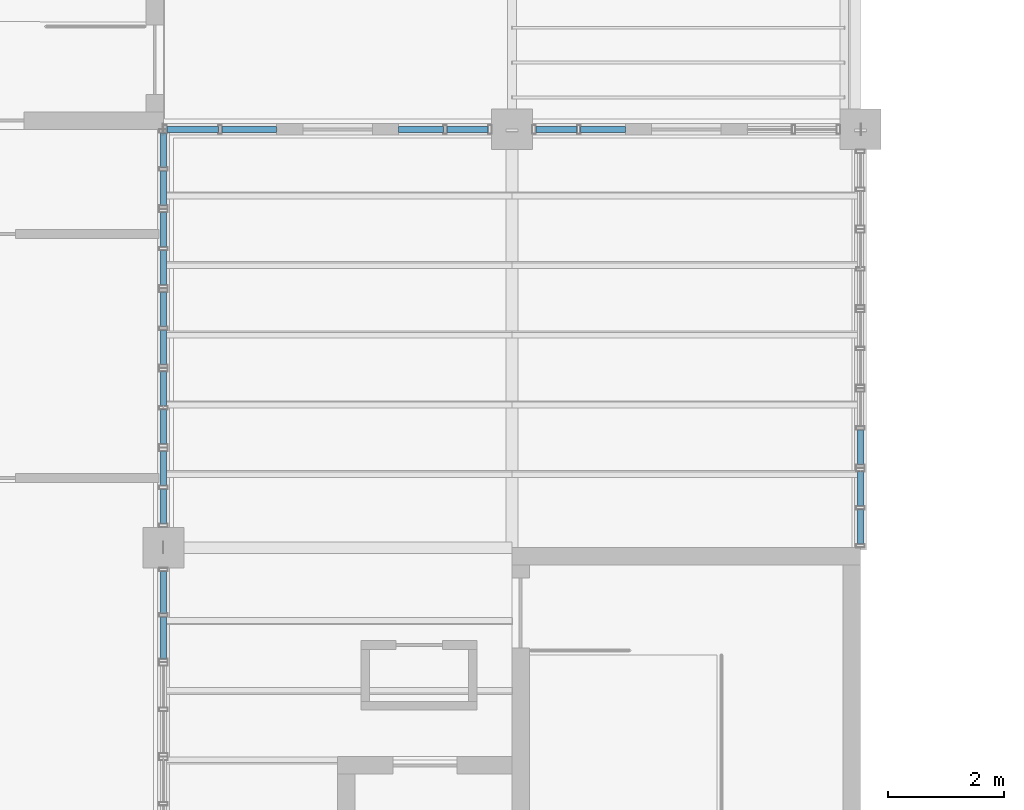
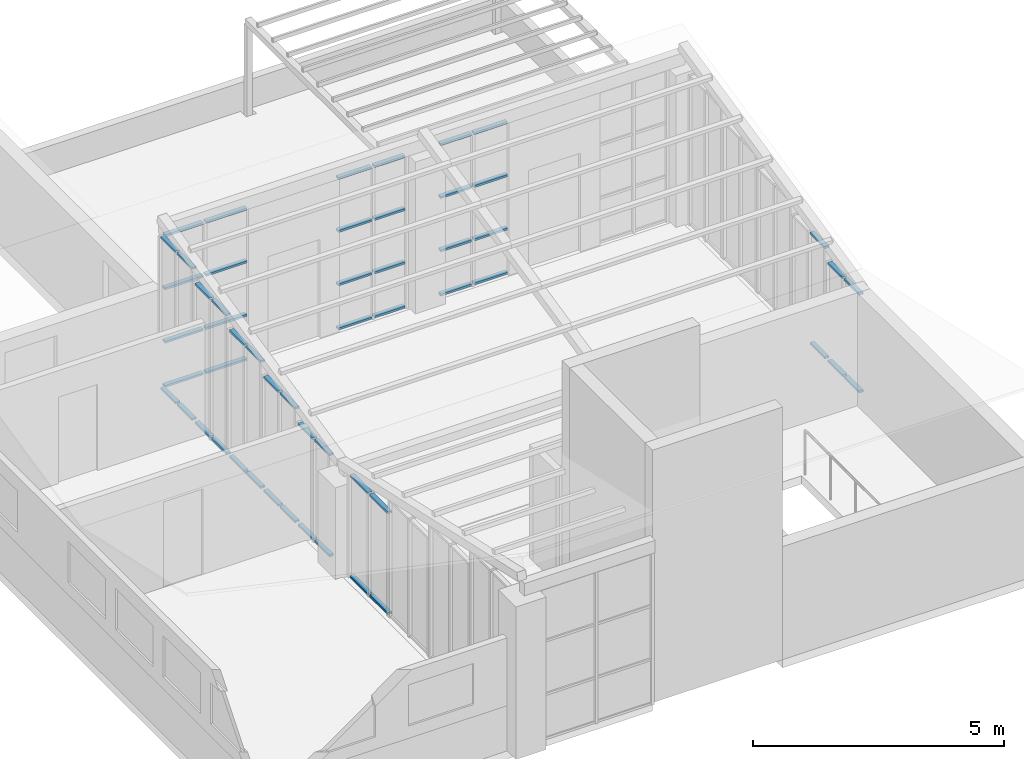
# One storey, part 29 of 51: 54 members, 11 elements without a shape of their own.
"""IFC4 building model written with IfcOpenShell, lengths in metres."""

from ifc_helpers import new_model, si_unit, direction, frame, origin, origin_2d, place, context, subcontext, project, spatial, hollow_rectangle, extrude, material, material_profile, profile_set, type_object, element, aggregate, save


model = new_model("IFC4")

# Units and contexts
model_context = context("Model", 3, precision=1e-05, world=origin(), true_north=direction((0.0, 1.0)))
body_context = subcontext(model_context, "Body", "Model", "MODEL_VIEW")
ifc_project = project(units=[si_unit("LENGTHUNIT", "METRE"), si_unit("AREAUNIT", "SQUARE_METRE"), si_unit("VOLUMEUNIT", "CUBIC_METRE"), si_unit("PLANEANGLEUNIT", "RADIAN"), si_unit("MASSUNIT", "GRAM", prefix="KILO")], contexts=[model_context])

# Site, building, storey
site_placement = place(None, origin())
site = spatial("IfcSite", under=ifc_project, at=site_placement, CompositionType="ELEMENT")
building_placement = place(site_placement, origin())
building = spatial("IfcBuilding", under=site, at=building_placement, Name="Laocheng Heights Fire and Rescue Headquarters", CompositionType="ELEMENT")
storey_placement = place(building_placement, frame((0.0, 0.0, 21.0)))
storey = spatial("IfcBuildingStorey", under=building, at=storey_placement, Name="L05", CompositionType="ELEMENT", Elevation=21.0)

# Curtain wall, members
ifc_material_1 = material(Name="Dark anodised aluminium unitised curtain wall, low-e double glazing", Category="aluminium")
curtain_wall_type_1 = type_object("IfcCurtainWallType", Name="CW 1625 x 2507 CREW LOUNGE END UNIT", PredefinedType="NOTDEFINED", material=ifc_material_1)
curtain_wall_1_placement = place(storey_placement, origin())
curtain_wall_1 = element("IfcCurtainWall", 1, at=curtain_wall_1_placement, inside=storey, type_object=curtain_wall_type_1, Name="X15-W CREW LOUNGE WEST 36 4", PredefinedType="NOTDEFINED")
ifc_material_2 = material(Name="Dark anodised aluminium 6063-T5 extrusion", Category="aluminium")
ifc_material_profile_1 = material_profile(ifc_material_2, hollow_rectangle(XDim=0.10009765625, YDim=0.050048828125, WallThickness=0.0029296875, at=origin_2d()), Name="AL TRANSOM 100x50x3 CREW LOUNGE END UNIT")
ifc_profile_set_1 = profile_set([ifc_material_profile_1], Name="Dark anodised aluminium 6063-T5 extrusion")
member_type_1 = type_object("IfcMemberType", Name="AL TRANSOM 100x50x3 CREW LOUNGE END UNIT", PredefinedType="USERDEFINED", material=ifc_profile_set_1)
member_1_placement = place(storey_placement, frame((96.0, 41.284912109375, 0.02490234375), z_axis=(0.0, 1.0, 0.0), x_axis=(-1.0, 0.0, 0.0)))
member_1 = element("IfcMember", 2, at=member_1_placement, type_object=member_type_1, Name="X15-W transom 1.1", ObjectType="TRANSOM", PredefinedType="USERDEFINED", context=body_context, shape_type="SweptSolid", body=[
    extrude(hollow_rectangle(XDim=0.10009765625, YDim=0.050048828125, WallThickness=0.0029296875, at=origin_2d()), origin(), (0.0, 0.0, 1.0), 0.72265625),
])
member_2_placement = place(storey_placement, frame((96.0, 41.284912109375, 2.481689453125), z_axis=(0.0, 1.0, 0.0), x_axis=(-1.0, 0.0, 0.0)))
member_2 = element("IfcMember", 3, at=member_2_placement, type_object=member_type_1, Name="X15-W transom 1.2", ObjectType="TRANSOM", PredefinedType="USERDEFINED", context=body_context, shape_type="SweptSolid", body=[
    extrude(hollow_rectangle(XDim=0.10009765625, YDim=0.050048828125, WallThickness=0.0029296875, at=origin_2d()), origin(), (0.0, 0.0, 1.0), 0.72265625),
])
member_3_placement = place(storey_placement, frame((96.0, 42.0673828125, 0.02490234375), z_axis=(0.0, 1.0, 0.0), x_axis=(-1.0, 0.0, 0.0)))
member_3 = element("IfcMember", 4, at=member_3_placement, type_object=member_type_1, Name="X15-W transom 2.1", ObjectType="TRANSOM", PredefinedType="USERDEFINED", context=body_context, shape_type="SweptSolid", body=[
    extrude(hollow_rectangle(XDim=0.10009765625, YDim=0.050048828125, WallThickness=0.0029296875, at=origin_2d()), origin(), (0.0, 0.0, 1.0), 0.72265625),
])
member_4_placement = place(storey_placement, frame((96.0, 42.0673828125, 2.481689453125), z_axis=(0.0, 1.0, 0.0), x_axis=(-1.0, 0.0, 0.0)))
member_4 = element("IfcMember", 5, at=member_4_placement, type_object=member_type_1, Name="X15-W transom 2.2", ObjectType="TRANSOM", PredefinedType="USERDEFINED", context=body_context, shape_type="SweptSolid", body=[
    extrude(hollow_rectangle(XDim=0.10009765625, YDim=0.050048828125, WallThickness=0.0029296875, at=origin_2d()), origin(), (0.0, 0.0, 1.0), 0.72265625),
])
aggregate(curtain_wall_1, [member_1, member_2, member_3, member_4])

ifc_material_3 = material(Name="Dark anodised aluminium unitised curtain wall, low-e double glazing", Category="aluminium")
curtain_wall_type_2 = type_object("IfcCurtainWallType", Name="CW 1370 x 2507 CREW LOUNGE END UNIT", PredefinedType="NOTDEFINED", material=ifc_material_3)
curtain_wall_2_placement = place(storey_placement, origin())
curtain_wall_2 = element("IfcCurtainWall", 6, at=curtain_wall_2_placement, inside=storey, type_object=curtain_wall_type_2, Name="X16-W CREW LOUNGE WEST 43 1", PredefinedType="NOTDEFINED")
member_5_placement = place(storey_placement, frame((96.0, 43.610107421875, 0.02490234375), z_axis=(0.0, 1.0, 0.0), x_axis=(-1.0, 0.0, 0.0)))
member_5 = element("IfcMember", 7, at=member_5_placement, type_object=member_type_1, Name="X16-W transom 1.1", ObjectType="TRANSOM", PredefinedType="USERDEFINED", context=body_context, shape_type="SweptSolid", body=[
    extrude(hollow_rectangle(XDim=0.10009765625, YDim=0.050048828125, WallThickness=0.0029296875, at=origin_2d()), origin(), (0.0, 0.0, 1.0), 0.594970703125),
])
member_6_placement = place(storey_placement, frame((96.0, 43.610107421875, 2.481689453125), z_axis=(0.0, 1.0, 0.0), x_axis=(-1.0, 0.0, 0.0)))
member_6 = element("IfcMember", 8, at=member_6_placement, type_object=member_type_1, Name="X16-W transom 1.2", ObjectType="TRANSOM", PredefinedType="USERDEFINED", context=body_context, shape_type="SweptSolid", body=[
    extrude(hollow_rectangle(XDim=0.10009765625, YDim=0.050048828125, WallThickness=0.0029296875, at=origin_2d()), origin(), (0.0, 0.0, 1.0), 0.594970703125),
])
member_7_placement = place(storey_placement, frame((96.0, 44.264892578125, 0.02490234375), z_axis=(0.0, 1.0, 0.0), x_axis=(-1.0, 0.0, 0.0)))
member_7 = element("IfcMember", 9, at=member_7_placement, type_object=member_type_1, Name="X16-W transom 2.1", ObjectType="TRANSOM", PredefinedType="USERDEFINED", context=body_context, shape_type="SweptSolid", body=[
    extrude(hollow_rectangle(XDim=0.10009765625, YDim=0.050048828125, WallThickness=0.0029296875, at=origin_2d()), origin(), (0.0, 0.0, 1.0), 0.59521484375),
])
member_8_placement = place(storey_placement, frame((96.0, 44.264892578125, 2.481689453125), z_axis=(0.0, 1.0, 0.0), x_axis=(-1.0, 0.0, 0.0)))
member_8 = element("IfcMember", 10, at=member_8_placement, type_object=member_type_1, Name="X16-W transom 2.2", ObjectType="TRANSOM", PredefinedType="USERDEFINED", context=body_context, shape_type="SweptSolid", body=[
    extrude(hollow_rectangle(XDim=0.10009765625, YDim=0.050048828125, WallThickness=0.0029296875, at=origin_2d()), origin(), (0.0, 0.0, 1.0), 0.59521484375),
])
aggregate(curtain_wall_2, [member_5, member_6, member_7, member_8])

ifc_material_4 = material(Name="Dark anodised aluminium unitised curtain wall, low-e double glazing", Category="aluminium")
curtain_wall_type_3 = type_object("IfcCurtainWallType", Name="CW 1370 x 2811 CREW LOUNGE END UNIT", PredefinedType="NOTDEFINED", material=ifc_material_4)
curtain_wall_3_placement = place(storey_placement, origin())
curtain_wall_3 = element("IfcCurtainWall", 11, at=curtain_wall_3_placement, inside=storey, type_object=curtain_wall_type_3, Name="X17-W CREW LOUNGE WEST 43 2", PredefinedType="NOTDEFINED")
member_9_placement = place(storey_placement, frame((96.0, 44.97998046875, 0.02490234375), z_axis=(0.0, 1.0, 0.0), x_axis=(-1.0, 0.0, 0.0)))
member_9 = element("IfcMember", 12, at=member_9_placement, type_object=member_type_1, Name="X17-W transom 1.1", ObjectType="TRANSOM", PredefinedType="USERDEFINED", context=body_context, shape_type="SweptSolid", body=[
    extrude(hollow_rectangle(XDim=0.10009765625, YDim=0.050048828125, WallThickness=0.0029296875, at=origin_2d()), origin(), (0.0, 0.0, 1.0), 0.594970703125),
])
member_10_placement = place(storey_placement, frame((96.0, 44.97998046875, 2.786376953125), z_axis=(0.0, 1.0, 0.0), x_axis=(-1.0, 0.0, 0.0)))
member_10 = element("IfcMember", 13, at=member_10_placement, type_object=member_type_1, Name="X17-W transom 1.2", ObjectType="TRANSOM", PredefinedType="USERDEFINED", context=body_context, shape_type="SweptSolid", body=[
    extrude(hollow_rectangle(XDim=0.10009765625, YDim=0.050048828125, WallThickness=0.0029296875, at=origin_2d()), origin(), (0.0, 0.0, 1.0), 0.594970703125),
])
member_11_placement = place(storey_placement, frame((96.0, 45.635009765625, 0.02490234375), z_axis=(0.0, 1.0, 0.0), x_axis=(-1.0, 0.0, 0.0)))
member_11 = element("IfcMember", 14, at=member_11_placement, type_object=member_type_1, Name="X17-W transom 2.1", ObjectType="TRANSOM", PredefinedType="USERDEFINED", context=body_context, shape_type="SweptSolid", body=[
    extrude(hollow_rectangle(XDim=0.10009765625, YDim=0.050048828125, WallThickness=0.0029296875, at=origin_2d()), origin(), (0.0, 0.0, 1.0), 0.594970703125),
])
member_12_placement = place(storey_placement, frame((96.0, 45.635009765625, 2.786376953125), z_axis=(0.0, 1.0, 0.0), x_axis=(-1.0, 0.0, 0.0)))
member_12 = element("IfcMember", 15, at=member_12_placement, type_object=member_type_1, Name="X17-W transom 2.2", ObjectType="TRANSOM", PredefinedType="USERDEFINED", context=body_context, shape_type="SweptSolid", body=[
    extrude(hollow_rectangle(XDim=0.10009765625, YDim=0.050048828125, WallThickness=0.0029296875, at=origin_2d()), origin(), (0.0, 0.0, 1.0), 0.594970703125),
])
aggregate(curtain_wall_3, [member_9, member_10, member_11, member_12])

ifc_material_5 = material(Name="Dark anodised aluminium unitised curtain wall, low-e double glazing", Category="aluminium")
curtain_wall_type_4 = type_object("IfcCurtainWallType", Name="CW 1370 x 3116 CREW LOUNGE END UNIT", PredefinedType="NOTDEFINED", material=ifc_material_5)
curtain_wall_4_placement = place(storey_placement, origin())
curtain_wall_4 = element("IfcCurtainWall", 16, at=curtain_wall_4_placement, inside=storey, type_object=curtain_wall_type_4, Name="X18-W CREW LOUNGE WEST 43 3", PredefinedType="NOTDEFINED")
member_13_placement = place(storey_placement, frame((96.0, 46.35009765625, 0.02490234375), z_axis=(0.0, 1.0, 0.0), x_axis=(-1.0, 0.0, 0.0)))
member_13 = element("IfcMember", 17, at=member_13_placement, type_object=member_type_1, Name="X18-W transom 1.1", ObjectType="TRANSOM", PredefinedType="USERDEFINED", context=body_context, shape_type="SweptSolid", body=[
    extrude(hollow_rectangle(XDim=0.10009765625, YDim=0.050048828125, WallThickness=0.0029296875, at=origin_2d()), origin(), (0.0, 0.0, 1.0), 0.594970703125),
])
member_14_placement = place(storey_placement, frame((96.0, 46.35009765625, 3.0908203125), z_axis=(0.0, 1.0, 0.0), x_axis=(-1.0, 0.0, 0.0)))
member_14 = element("IfcMember", 18, at=member_14_placement, type_object=member_type_1, Name="X18-W transom 1.2", ObjectType="TRANSOM", PredefinedType="USERDEFINED", context=body_context, shape_type="SweptSolid", body=[
    extrude(hollow_rectangle(XDim=0.10009765625, YDim=0.050048828125, WallThickness=0.0029296875, at=origin_2d()), origin(), (0.0, 0.0, 1.0), 0.594970703125),
])
member_15_placement = place(storey_placement, frame((96.0, 47.0048828125, 0.02490234375), z_axis=(0.0, 1.0, 0.0), x_axis=(-1.0, 0.0, 0.0)))
member_15 = element("IfcMember", 19, at=member_15_placement, type_object=member_type_1, Name="X18-W transom 2.1", ObjectType="TRANSOM", PredefinedType="USERDEFINED", context=body_context, shape_type="SweptSolid", body=[
    extrude(hollow_rectangle(XDim=0.10009765625, YDim=0.050048828125, WallThickness=0.0029296875, at=origin_2d()), origin(), (0.0, 0.0, 1.0), 0.59521484375),
])
member_16_placement = place(storey_placement, frame((96.0, 47.0048828125, 3.0908203125), z_axis=(0.0, 1.0, 0.0), x_axis=(-1.0, 0.0, 0.0)))
member_16 = element("IfcMember", 20, at=member_16_placement, type_object=member_type_1, Name="X18-W transom 2.2", ObjectType="TRANSOM", PredefinedType="USERDEFINED", context=body_context, shape_type="SweptSolid", body=[
    extrude(hollow_rectangle(XDim=0.10009765625, YDim=0.050048828125, WallThickness=0.0029296875, at=origin_2d()), origin(), (0.0, 0.0, 1.0), 0.59521484375),
])
aggregate(curtain_wall_4, [member_13, member_14, member_15, member_16])

ifc_material_6 = material(Name="Dark anodised aluminium unitised curtain wall, low-e double glazing", Category="aluminium")
curtain_wall_type_5 = type_object("IfcCurtainWallType", Name="CW 1370 x 3420 CREW LOUNGE END UNIT", PredefinedType="NOTDEFINED", material=ifc_material_6)
curtain_wall_5_placement = place(storey_placement, origin())
curtain_wall_5 = element("IfcCurtainWall", 21, at=curtain_wall_5_placement, inside=storey, type_object=curtain_wall_type_5, Name="X19-W CREW LOUNGE WEST 43 4", PredefinedType="NOTDEFINED")
member_17_placement = place(storey_placement, frame((96.0, 47.719970703125, 0.02490234375), z_axis=(0.0, 1.0, 0.0), x_axis=(-1.0, 0.0, 0.0)))
member_17 = element("IfcMember", 22, at=member_17_placement, type_object=member_type_1, Name="X19-W transom 1.1", ObjectType="TRANSOM", PredefinedType="USERDEFINED", context=body_context, shape_type="SweptSolid", body=[
    extrude(hollow_rectangle(XDim=0.10009765625, YDim=0.050048828125, WallThickness=0.0029296875, at=origin_2d()), origin(), (0.0, 0.0, 1.0), 0.594970703125),
])
member_18_placement = place(storey_placement, frame((96.0, 47.719970703125, 3.39501953125), z_axis=(0.0, 1.0, 0.0), x_axis=(-1.0, 0.0, 0.0)))
member_18 = element("IfcMember", 23, at=member_18_placement, type_object=member_type_1, Name="X19-W transom 1.2", ObjectType="TRANSOM", PredefinedType="USERDEFINED", context=body_context, shape_type="SweptSolid", body=[
    extrude(hollow_rectangle(XDim=0.10009765625, YDim=0.050048828125, WallThickness=0.0029296875, at=origin_2d()), origin(), (0.0, 0.0, 1.0), 0.594970703125),
])
member_19_placement = place(storey_placement, frame((96.0, 48.375, 0.02490234375), z_axis=(0.0, 1.0, 0.0), x_axis=(-1.0, 0.0, 0.0)))
member_19 = element("IfcMember", 24, at=member_19_placement, type_object=member_type_1, Name="X19-W transom 2.1", ObjectType="TRANSOM", PredefinedType="USERDEFINED", context=body_context, shape_type="SweptSolid", body=[
    extrude(hollow_rectangle(XDim=0.10009765625, YDim=0.050048828125, WallThickness=0.0029296875, at=origin_2d()), origin(), (0.0, 0.0, 1.0), 0.594970703125),
])
member_20_placement = place(storey_placement, frame((96.0, 48.375, 3.39501953125), z_axis=(0.0, 1.0, 0.0), x_axis=(-1.0, 0.0, 0.0)))
member_20 = element("IfcMember", 25, at=member_20_placement, type_object=member_type_1, Name="X19-W transom 2.2", ObjectType="TRANSOM", PredefinedType="USERDEFINED", context=body_context, shape_type="SweptSolid", body=[
    extrude(hollow_rectangle(XDim=0.10009765625, YDim=0.050048828125, WallThickness=0.0029296875, at=origin_2d()), origin(), (0.0, 0.0, 1.0), 0.594970703125),
])
aggregate(curtain_wall_5, [member_17, member_18, member_19, member_20])

ifc_material_7 = material(Name="Dark anodised aluminium unitised curtain wall, low-e double glazing", Category="aluminium")
curtain_wall_type_6 = type_object("IfcCurtainWallType", Name="CW 1370 x 3725 CREW LOUNGE END UNIT", PredefinedType="NOTDEFINED", material=ifc_material_7)
curtain_wall_6_placement = place(storey_placement, origin())
curtain_wall_6 = element("IfcCurtainWall", 26, at=curtain_wall_6_placement, inside=storey, type_object=curtain_wall_type_6, Name="X20-W CREW LOUNGE WEST 43 5", PredefinedType="NOTDEFINED")
member_21_placement = place(storey_placement, frame((96.0, 49.090087890625, 0.02490234375), z_axis=(0.0, 1.0, 0.0), x_axis=(-1.0, 0.0, 0.0)))
member_21 = element("IfcMember", 27, at=member_21_placement, type_object=member_type_1, Name="X20-W transom 1.1", ObjectType="TRANSOM", PredefinedType="USERDEFINED", context=body_context, shape_type="SweptSolid", body=[
    extrude(hollow_rectangle(XDim=0.10009765625, YDim=0.050048828125, WallThickness=0.0029296875, at=origin_2d()), origin(), (0.0, 0.0, 1.0), 0.594970703125),
])
member_22_placement = place(storey_placement, frame((96.0, 49.090087890625, 3.69970703125), z_axis=(0.0, 1.0, 0.0), x_axis=(-1.0, 0.0, 0.0)))
member_22 = element("IfcMember", 28, at=member_22_placement, type_object=member_type_1, Name="X20-W transom 1.2", ObjectType="TRANSOM", PredefinedType="USERDEFINED", context=body_context, shape_type="SweptSolid", body=[
    extrude(hollow_rectangle(XDim=0.10009765625, YDim=0.050048828125, WallThickness=0.0029296875, at=origin_2d()), origin(), (0.0, 0.0, 1.0), 0.594970703125),
])
member_23_placement = place(storey_placement, frame((96.0, 49.7451171875, 0.02490234375), z_axis=(0.0, 1.0, 0.0), x_axis=(-1.0, 0.0, 0.0)))
member_23 = element("IfcMember", 29, at=member_23_placement, type_object=member_type_1, Name="X20-W transom 2.1", ObjectType="TRANSOM", PredefinedType="USERDEFINED", context=body_context, shape_type="SweptSolid", body=[
    extrude(hollow_rectangle(XDim=0.10009765625, YDim=0.050048828125, WallThickness=0.0029296875, at=origin_2d()), origin(), (0.0, 0.0, 1.0), 0.594970703125),
])
member_24_placement = place(storey_placement, frame((96.0, 49.7451171875, 3.69970703125), z_axis=(0.0, 1.0, 0.0), x_axis=(-1.0, 0.0, 0.0)))
member_24 = element("IfcMember", 30, at=member_24_placement, type_object=member_type_1, Name="X20-W transom 2.2", ObjectType="TRANSOM", PredefinedType="USERDEFINED", context=body_context, shape_type="SweptSolid", body=[
    extrude(hollow_rectangle(XDim=0.10009765625, YDim=0.050048828125, WallThickness=0.0029296875, at=origin_2d()), origin(), (0.0, 0.0, 1.0), 0.594970703125),
])
aggregate(curtain_wall_6, [member_21, member_22, member_23, member_24])

ifc_material_8 = material(Name="Dark anodised aluminium unitised curtain wall, low-e double glazing", Category="aluminium")
curtain_wall_type_7 = type_object("IfcCurtainWallType", Name="CW 1370 x 2429 CREW LOUNGE END UNIT", PredefinedType="NOTDEFINED", material=ifc_material_8)
curtain_wall_7_placement = place(storey_placement, origin())
curtain_wall_7 = element("IfcCurtainWall", 31, at=curtain_wall_7_placement, inside=storey, type_object=curtain_wall_type_7, Name="X21-W CREW LOUNGE EAST 43 1", PredefinedType="NOTDEFINED")
member_25_placement = place(storey_placement, frame((108.0, 43.260009765625, 0.02490234375), z_axis=(0.0, 1.0, 0.0), x_axis=(-1.0, 0.0, 0.0)))
member_25 = element("IfcMember", 32, at=member_25_placement, type_object=member_type_1, Name="X21-W transom 1.1", ObjectType="TRANSOM", PredefinedType="USERDEFINED", context=body_context, shape_type="SweptSolid", body=[
    extrude(hollow_rectangle(XDim=0.10009765625, YDim=0.050048828125, WallThickness=0.0029296875, at=origin_2d()), origin(), (0.0, 0.0, 1.0), 0.594970703125),
])
member_26_placement = place(storey_placement, frame((108.0, 43.260009765625, 2.404052734375), z_axis=(0.0, 1.0, 0.0), x_axis=(-1.0, 0.0, 0.0)))
member_26 = element("IfcMember", 33, at=member_26_placement, type_object=member_type_1, Name="X21-W transom 1.2", ObjectType="TRANSOM", PredefinedType="USERDEFINED", context=body_context, shape_type="SweptSolid", body=[
    extrude(hollow_rectangle(XDim=0.10009765625, YDim=0.050048828125, WallThickness=0.0029296875, at=origin_2d()), origin(), (0.0, 0.0, 1.0), 0.594970703125),
])
member_27_placement = place(storey_placement, frame((108.0, 43.9150390625, 0.02490234375), z_axis=(0.0, 1.0, 0.0), x_axis=(-1.0, 0.0, 0.0)))
member_27 = element("IfcMember", 34, at=member_27_placement, type_object=member_type_1, Name="X21-W transom 2.1", ObjectType="TRANSOM", PredefinedType="USERDEFINED", context=body_context, shape_type="SweptSolid", body=[
    extrude(hollow_rectangle(XDim=0.10009765625, YDim=0.050048828125, WallThickness=0.0029296875, at=origin_2d()), origin(), (0.0, 0.0, 1.0), 0.594970703125),
])
member_28_placement = place(storey_placement, frame((108.0, 43.9150390625, 2.404052734375), z_axis=(0.0, 1.0, 0.0), x_axis=(-1.0, 0.0, 0.0)))
member_28 = element("IfcMember", 35, at=member_28_placement, type_object=member_type_1, Name="X21-W transom 2.2", ObjectType="TRANSOM", PredefinedType="USERDEFINED", context=body_context, shape_type="SweptSolid", body=[
    extrude(hollow_rectangle(XDim=0.10009765625, YDim=0.050048828125, WallThickness=0.0029296875, at=origin_2d()), origin(), (0.0, 0.0, 1.0), 0.594970703125),
])
aggregate(curtain_wall_7, [member_25, member_26, member_27, member_28])

ifc_material_9 = material(Name="Dark anodised aluminium unitised curtain wall, low-e double glazing", Category="aluminium")
curtain_wall_type_8 = type_object("IfcCurtainWallType", Name="CW 1370 x 2733 CREW LOUNGE END UNIT", PredefinedType="NOTDEFINED", material=ifc_material_9)
curtain_wall_8_placement = place(storey_placement, origin())
curtain_wall_8 = element("IfcCurtainWall", 36, at=curtain_wall_8_placement, inside=storey, type_object=curtain_wall_type_8, Name="X22-W CREW LOUNGE EAST 43 2", PredefinedType="NOTDEFINED")
member_29_placement = place(storey_placement, frame((108.0, 44.6298828125, 0.02490234375), z_axis=(0.0, 1.0, 0.0), x_axis=(-1.0, 0.0, 0.0)))
member_29 = element("IfcMember", 37, at=member_29_placement, type_object=member_type_1, Name="X22-W transom 1.1", ObjectType="TRANSOM", PredefinedType="USERDEFINED", context=body_context, shape_type="SweptSolid", body=[
    extrude(hollow_rectangle(XDim=0.10009765625, YDim=0.050048828125, WallThickness=0.0029296875, at=origin_2d()), origin(), (0.0, 0.0, 1.0), 0.59521484375),
])
member_30_placement = place(storey_placement, frame((108.0, 44.6298828125, 2.70849609375), z_axis=(0.0, 1.0, 0.0), x_axis=(-1.0, 0.0, 0.0)))
member_30 = element("IfcMember", 38, at=member_30_placement, type_object=member_type_1, Name="X22-W transom 1.2", ObjectType="TRANSOM", PredefinedType="USERDEFINED", context=body_context, shape_type="SweptSolid", body=[
    extrude(hollow_rectangle(XDim=0.10009765625, YDim=0.050048828125, WallThickness=0.0029296875, at=origin_2d()), origin(), (0.0, 0.0, 1.0), 0.59521484375),
])
aggregate(curtain_wall_8, [member_29, member_30])

ifc_material_10 = material(Name="Dark anodised aluminium unitised curtain wall, low-e double glazing", Category="aluminium")
curtain_wall_type_9 = type_object("IfcCurtainWallType", Name="CW 1950 x 3714 CREW ROOF LOUNGE GLAZING", PredefinedType="NOTDEFINED", material=ifc_material_10)
curtain_wall_9_placement = place(storey_placement, origin())
curtain_wall_9 = element("IfcCurtainWall", 39, at=curtain_wall_9_placement, inside=storey, type_object=curtain_wall_type_9, Name="X10-W CREW LOUNGE NORTH L05", PredefinedType="NOTDEFINED")
ifc_material_11 = material(Name="Dark anodised aluminium 6063-T5 extrusion", Category="aluminium")
ifc_material_profile_2 = material_profile(ifc_material_11, hollow_rectangle(XDim=0.10009765625, YDim=0.050048828125, WallThickness=0.0029296875, at=origin_2d()), Name="AL TRANSOM 100x50x3 CREW ROOF LOUNGE GLAZING")
ifc_profile_set_2 = profile_set([ifc_material_profile_2], Name="Dark anodised aluminium 6063-T5 extrusion")
member_type_2 = type_object("IfcMemberType", Name="AL TRANSOM 100x50x3 CREW ROOF LOUNGE GLAZING", PredefinedType="USERDEFINED", material=ifc_profile_set_2)
member_31_placement = place(storey_placement, frame((96.06005859375, 50.39990234375, 0.02490234375), z_axis=(1.0, 0.0, 0.0), x_axis=(0.0, 1.0, 0.0)))
member_31 = element("IfcMember", 40, at=member_31_placement, type_object=member_type_2, Name="X10-W transom 1.1", ObjectType="TRANSOM", PredefinedType="USERDEFINED", context=body_context, shape_type="SweptSolid", body=[
    extrude(hollow_rectangle(XDim=0.10009765625, YDim=0.050048828125, WallThickness=0.0029296875, at=origin_2d()), origin(), (0.0, 0.0, 1.0), 0.885009765625),
])
member_32_placement = place(storey_placement, frame((96.06005859375, 50.39990234375, 1.10009765625), z_axis=(1.0, 0.0, 0.0), x_axis=(0.0, 1.0, 0.0)))
member_32 = element("IfcMember", 41, at=member_32_placement, type_object=member_type_2, Name="X10-W transom 1.2", ObjectType="TRANSOM", PredefinedType="USERDEFINED", context=body_context, shape_type="SweptSolid", body=[
    extrude(hollow_rectangle(XDim=0.10009765625, YDim=0.050048828125, WallThickness=0.0029296875, at=origin_2d()), origin(), (0.0, 0.0, 1.0), 0.885009765625),
])
member_33_placement = place(storey_placement, frame((96.06005859375, 50.39990234375, 2.39990234375), z_axis=(1.0, 0.0, 0.0), x_axis=(0.0, 1.0, 0.0)))
member_33 = element("IfcMember", 42, at=member_33_placement, type_object=member_type_2, Name="X10-W transom 1.3", ObjectType="TRANSOM", PredefinedType="USERDEFINED", context=body_context, shape_type="SweptSolid", body=[
    extrude(hollow_rectangle(XDim=0.10009765625, YDim=0.050048828125, WallThickness=0.0029296875, at=origin_2d()), origin(), (0.0, 0.0, 1.0), 0.885009765625),
])
member_34_placement = place(storey_placement, frame((96.06005859375, 50.39990234375, 3.689453125), z_axis=(1.0, 0.0, 0.0), x_axis=(0.0, 1.0, 0.0)))
member_34 = element("IfcMember", 43, at=member_34_placement, type_object=member_type_2, Name="X10-W transom 1.4", ObjectType="TRANSOM", PredefinedType="USERDEFINED", context=body_context, shape_type="SweptSolid", body=[
    extrude(hollow_rectangle(XDim=0.10009765625, YDim=0.050048828125, WallThickness=0.0029296875, at=origin_2d()), origin(), (0.0, 0.0, 1.0), 0.885009765625),
])
member_35_placement = place(storey_placement, frame((97.0048828125, 50.39990234375, 0.02490234375), z_axis=(1.0, 0.0, 0.0), x_axis=(0.0, 1.0, 0.0)))
member_35 = element("IfcMember", 44, at=member_35_placement, type_object=member_type_2, Name="X10-W transom 2.1", ObjectType="TRANSOM", PredefinedType="USERDEFINED", context=body_context, shape_type="SweptSolid", body=[
    extrude(hollow_rectangle(XDim=0.10009765625, YDim=0.050048828125, WallThickness=0.0029296875, at=origin_2d()), origin(), (0.0, 0.0, 1.0), 0.945068359375),
])
member_36_placement = place(storey_placement, frame((97.0048828125, 50.39990234375, 1.10009765625), z_axis=(1.0, 0.0, 0.0), x_axis=(0.0, 1.0, 0.0)))
member_36 = element("IfcMember", 45, at=member_36_placement, type_object=member_type_2, Name="X10-W transom 2.2", ObjectType="TRANSOM", PredefinedType="USERDEFINED", context=body_context, shape_type="SweptSolid", body=[
    extrude(hollow_rectangle(XDim=0.10009765625, YDim=0.050048828125, WallThickness=0.0029296875, at=origin_2d()), origin(), (0.0, 0.0, 1.0), 0.945068359375),
])
member_37_placement = place(storey_placement, frame((97.0048828125, 50.39990234375, 2.39990234375), z_axis=(1.0, 0.0, 0.0), x_axis=(0.0, 1.0, 0.0)))
member_37 = element("IfcMember", 46, at=member_37_placement, type_object=member_type_2, Name="X10-W transom 2.3", ObjectType="TRANSOM", PredefinedType="USERDEFINED", context=body_context, shape_type="SweptSolid", body=[
    extrude(hollow_rectangle(XDim=0.10009765625, YDim=0.050048828125, WallThickness=0.0029296875, at=origin_2d()), origin(), (0.0, 0.0, 1.0), 0.945068359375),
])
member_38_placement = place(storey_placement, frame((97.0048828125, 50.39990234375, 3.689453125), z_axis=(1.0, 0.0, 0.0), x_axis=(0.0, 1.0, 0.0)))
member_38 = element("IfcMember", 47, at=member_38_placement, type_object=member_type_2, Name="X10-W transom 2.4", ObjectType="TRANSOM", PredefinedType="USERDEFINED", context=body_context, shape_type="SweptSolid", body=[
    extrude(hollow_rectangle(XDim=0.10009765625, YDim=0.050048828125, WallThickness=0.0029296875, at=origin_2d()), origin(), (0.0, 0.0, 1.0), 0.945068359375),
])
aggregate(curtain_wall_9, [member_31, member_32, member_33, member_34, member_35, member_36, member_37, member_38])

ifc_material_12 = material(Name="Dark anodised aluminium unitised curtain wall, low-e double glazing", Category="aluminium")
curtain_wall_type_10 = type_object("IfcCurtainWallType", Name="CW 1600 x 3714 CREW ROOF LOUNGE GLAZING", PredefinedType="NOTDEFINED", material=ifc_material_12)
curtain_wall_10_placement = place(storey_placement, origin())
curtain_wall_10 = element("IfcCurtainWall", 48, at=curtain_wall_10_placement, inside=storey, type_object=curtain_wall_type_10, Name="X11-W CREW LOUNGE NORTH L05", PredefinedType="NOTDEFINED")
member_39_placement = place(storey_placement, frame((100.050048828125, 50.39990234375, 0.02490234375), z_axis=(1.0, 0.0, 0.0), x_axis=(0.0, 1.0, 0.0)))
member_39 = element("IfcMember", 49, at=member_39_placement, type_object=member_type_2, Name="X11-W transom 1.1", ObjectType="TRANSOM", PredefinedType="USERDEFINED", context=body_context, shape_type="SweptSolid", body=[
    extrude(hollow_rectangle(XDim=0.10009765625, YDim=0.050048828125, WallThickness=0.0029296875, at=origin_2d()), origin(), (0.0, 0.0, 1.0), 0.77001953125),
])
member_40_placement = place(storey_placement, frame((100.050048828125, 50.39990234375, 1.10009765625), z_axis=(1.0, 0.0, 0.0), x_axis=(0.0, 1.0, 0.0)))
member_40 = element("IfcMember", 50, at=member_40_placement, type_object=member_type_2, Name="X11-W transom 1.2", ObjectType="TRANSOM", PredefinedType="USERDEFINED", context=body_context, shape_type="SweptSolid", body=[
    extrude(hollow_rectangle(XDim=0.10009765625, YDim=0.050048828125, WallThickness=0.0029296875, at=origin_2d()), origin(), (0.0, 0.0, 1.0), 0.77001953125),
])
member_41_placement = place(storey_placement, frame((100.050048828125, 50.39990234375, 2.39990234375), z_axis=(1.0, 0.0, 0.0), x_axis=(0.0, 1.0, 0.0)))
member_41 = element("IfcMember", 51, at=member_41_placement, type_object=member_type_2, Name="X11-W transom 1.3", ObjectType="TRANSOM", PredefinedType="USERDEFINED", context=body_context, shape_type="SweptSolid", body=[
    extrude(hollow_rectangle(XDim=0.10009765625, YDim=0.050048828125, WallThickness=0.0029296875, at=origin_2d()), origin(), (0.0, 0.0, 1.0), 0.77001953125),
])
member_42_placement = place(storey_placement, frame((100.050048828125, 50.39990234375, 3.689453125), z_axis=(1.0, 0.0, 0.0), x_axis=(0.0, 1.0, 0.0)))
member_42 = element("IfcMember", 52, at=member_42_placement, type_object=member_type_2, Name="X11-W transom 1.4", ObjectType="TRANSOM", PredefinedType="USERDEFINED", context=body_context, shape_type="SweptSolid", body=[
    extrude(hollow_rectangle(XDim=0.10009765625, YDim=0.050048828125, WallThickness=0.0029296875, at=origin_2d()), origin(), (0.0, 0.0, 1.0), 0.77001953125),
])
member_43_placement = place(storey_placement, frame((100.8798828125, 50.39990234375, 0.02490234375), z_axis=(1.0, 0.0, 0.0), x_axis=(0.0, 1.0, 0.0)))
member_43 = element("IfcMember", 53, at=member_43_placement, type_object=member_type_2, Name="X11-W transom 2.1", ObjectType="TRANSOM", PredefinedType="USERDEFINED", context=body_context, shape_type="SweptSolid", body=[
    extrude(hollow_rectangle(XDim=0.10009765625, YDim=0.050048828125, WallThickness=0.0029296875, at=origin_2d()), origin(), (0.0, 0.0, 1.0), 0.710205078125),
])
member_44_placement = place(storey_placement, frame((100.8798828125, 50.39990234375, 1.10009765625), z_axis=(1.0, 0.0, 0.0), x_axis=(0.0, 1.0, 0.0)))
member_44 = element("IfcMember", 54, at=member_44_placement, type_object=member_type_2, Name="X11-W transom 2.2", ObjectType="TRANSOM", PredefinedType="USERDEFINED", context=body_context, shape_type="SweptSolid", body=[
    extrude(hollow_rectangle(XDim=0.10009765625, YDim=0.050048828125, WallThickness=0.0029296875, at=origin_2d()), origin(), (0.0, 0.0, 1.0), 0.710205078125),
])
member_45_placement = place(storey_placement, frame((100.8798828125, 50.39990234375, 2.39990234375), z_axis=(1.0, 0.0, 0.0), x_axis=(0.0, 1.0, 0.0)))
member_45 = element("IfcMember", 55, at=member_45_placement, type_object=member_type_2, Name="X11-W transom 2.3", ObjectType="TRANSOM", PredefinedType="USERDEFINED", context=body_context, shape_type="SweptSolid", body=[
    extrude(hollow_rectangle(XDim=0.10009765625, YDim=0.050048828125, WallThickness=0.0029296875, at=origin_2d()), origin(), (0.0, 0.0, 1.0), 0.710205078125),
])
member_46_placement = place(storey_placement, frame((100.8798828125, 50.39990234375, 3.689453125), z_axis=(1.0, 0.0, 0.0), x_axis=(0.0, 1.0, 0.0)))
member_46 = element("IfcMember", 56, at=member_46_placement, type_object=member_type_2, Name="X11-W transom 2.4", ObjectType="TRANSOM", PredefinedType="USERDEFINED", context=body_context, shape_type="SweptSolid", body=[
    extrude(hollow_rectangle(XDim=0.10009765625, YDim=0.050048828125, WallThickness=0.0029296875, at=origin_2d()), origin(), (0.0, 0.0, 1.0), 0.710205078125),
])
aggregate(curtain_wall_10, [member_39, member_40, member_41, member_42, member_43, member_44, member_45, member_46])

curtain_wall_11_placement = place(storey_placement, origin())
curtain_wall_11 = element("IfcCurtainWall", 57, at=curtain_wall_11_placement, inside=storey, type_object=curtain_wall_type_10, Name="X11-W CREW LOUNGE NORTH L05", PredefinedType="NOTDEFINED")
member_47_placement = place(storey_placement, frame((102.409912109375, 50.39990234375, 0.02490234375), z_axis=(1.0, 0.0, 0.0), x_axis=(0.0, 1.0, 0.0)))
member_47 = element("IfcMember", 58, at=member_47_placement, type_object=member_type_2, Name="X11-W transom 1.1", ObjectType="TRANSOM", PredefinedType="USERDEFINED", context=body_context, shape_type="SweptSolid", body=[
    extrude(hollow_rectangle(XDim=0.10009765625, YDim=0.050048828125, WallThickness=0.0029296875, at=origin_2d()), origin(), (0.0, 0.0, 1.0), 0.710205078125),
])
member_48_placement = place(storey_placement, frame((102.409912109375, 50.39990234375, 1.10009765625), z_axis=(1.0, 0.0, 0.0), x_axis=(0.0, 1.0, 0.0)))
member_48 = element("IfcMember", 59, at=member_48_placement, type_object=member_type_2, Name="X11-W transom 1.2", ObjectType="TRANSOM", PredefinedType="USERDEFINED", context=body_context, shape_type="SweptSolid", body=[
    extrude(hollow_rectangle(XDim=0.10009765625, YDim=0.050048828125, WallThickness=0.0029296875, at=origin_2d()), origin(), (0.0, 0.0, 1.0), 0.710205078125),
])
member_49_placement = place(storey_placement, frame((102.409912109375, 50.39990234375, 2.39990234375), z_axis=(1.0, 0.0, 0.0), x_axis=(0.0, 1.0, 0.0)))
member_49 = element("IfcMember", 60, at=member_49_placement, type_object=member_type_2, Name="X11-W transom 1.3", ObjectType="TRANSOM", PredefinedType="USERDEFINED", context=body_context, shape_type="SweptSolid", body=[
    extrude(hollow_rectangle(XDim=0.10009765625, YDim=0.050048828125, WallThickness=0.0029296875, at=origin_2d()), origin(), (0.0, 0.0, 1.0), 0.710205078125),
])
member_50_placement = place(storey_placement, frame((102.409912109375, 50.39990234375, 3.689453125), z_axis=(1.0, 0.0, 0.0), x_axis=(0.0, 1.0, 0.0)))
member_50 = element("IfcMember", 61, at=member_50_placement, type_object=member_type_2, Name="X11-W transom 1.4", ObjectType="TRANSOM", PredefinedType="USERDEFINED", context=body_context, shape_type="SweptSolid", body=[
    extrude(hollow_rectangle(XDim=0.10009765625, YDim=0.050048828125, WallThickness=0.0029296875, at=origin_2d()), origin(), (0.0, 0.0, 1.0), 0.710205078125),
])
member_51_placement = place(storey_placement, frame((103.179931640625, 50.39990234375, 0.02490234375), z_axis=(1.0, 0.0, 0.0), x_axis=(0.0, 1.0, 0.0)))
member_51 = element("IfcMember", 62, at=member_51_placement, type_object=member_type_2, Name="X11-W transom 2.1", ObjectType="TRANSOM", PredefinedType="USERDEFINED", context=body_context, shape_type="SweptSolid", body=[
    extrude(hollow_rectangle(XDim=0.10009765625, YDim=0.050048828125, WallThickness=0.0029296875, at=origin_2d()), origin(), (0.0, 0.0, 1.0), 0.77001953125),
])
member_52_placement = place(storey_placement, frame((103.179931640625, 50.39990234375, 1.10009765625), z_axis=(1.0, 0.0, 0.0), x_axis=(0.0, 1.0, 0.0)))
member_52 = element("IfcMember", 63, at=member_52_placement, type_object=member_type_2, Name="X11-W transom 2.2", ObjectType="TRANSOM", PredefinedType="USERDEFINED", context=body_context, shape_type="SweptSolid", body=[
    extrude(hollow_rectangle(XDim=0.10009765625, YDim=0.050048828125, WallThickness=0.0029296875, at=origin_2d()), origin(), (0.0, 0.0, 1.0), 0.77001953125),
])
member_53_placement = place(storey_placement, frame((103.179931640625, 50.39990234375, 2.39990234375), z_axis=(1.0, 0.0, 0.0), x_axis=(0.0, 1.0, 0.0)))
member_53 = element("IfcMember", 64, at=member_53_placement, type_object=member_type_2, Name="X11-W transom 2.3", ObjectType="TRANSOM", PredefinedType="USERDEFINED", context=body_context, shape_type="SweptSolid", body=[
    extrude(hollow_rectangle(XDim=0.10009765625, YDim=0.050048828125, WallThickness=0.0029296875, at=origin_2d()), origin(), (0.0, 0.0, 1.0), 0.77001953125),
])
member_54_placement = place(storey_placement, frame((103.179931640625, 50.39990234375, 3.689453125), z_axis=(1.0, 0.0, 0.0), x_axis=(0.0, 1.0, 0.0)))
member_54 = element("IfcMember", 65, at=member_54_placement, type_object=member_type_2, Name="X11-W transom 2.4", ObjectType="TRANSOM", PredefinedType="USERDEFINED", context=body_context, shape_type="SweptSolid", body=[
    extrude(hollow_rectangle(XDim=0.10009765625, YDim=0.050048828125, WallThickness=0.0029296875, at=origin_2d()), origin(), (0.0, 0.0, 1.0), 0.77001953125),
])
aggregate(curtain_wall_11, [member_47, member_48, member_49, member_50, member_51, member_52, member_53, member_54])

save(model, "model.ifc")
